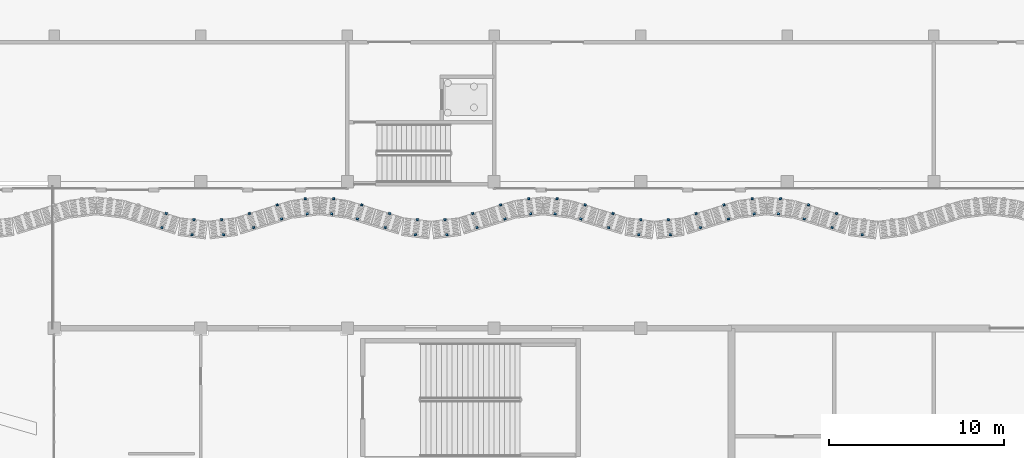
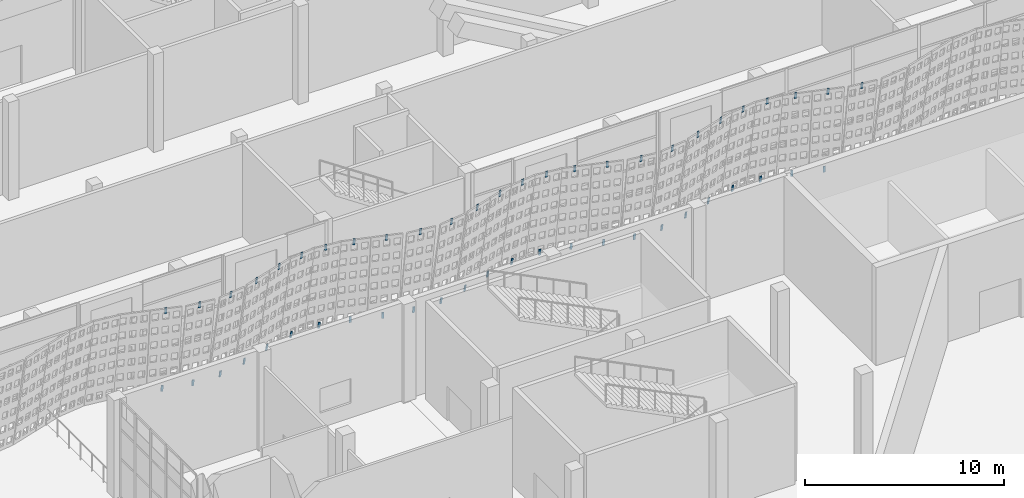
# One storey, part 143 of 210: 51 discrete accessories.
"""IFC4 building model written with IfcOpenShell, lengths in metres."""

import ifcopenshell
import ifcopenshell.guid

model = None  # the IFC model being written
_history = None  # IfcOwnerHistory: only IFC2X3 demands one
_inside = {}  # id of a spatial element -> (the spatial element, [elements in it])
_under = {}  # id of a project, library or spatial element -> (it, [spatial elements below it])
_declared = {}  # id of a project -> (the project, [libraries it declares])
_typed = {}  # id of a type object -> (the type object, [elements of that type])
_made_of = {}  # id of a material, layer set ... -> (it, [elements and type objects made of it])


def new_model(schema):
    """Start an empty IFC model of exactly this schema.

    Asked for "IFC4X3", IfcOpenShell would pick the latest addendum, in which some entities
    have other attributes; the version numbers below select the first issue.
    IFC2X3 requires an IfcOwnerHistory on every rooted entity: one is made here for all.
    """
    global model, _history
    if schema == "IFC4X3":
        model = ifcopenshell.file(schema_version=(4, 3, 0, 0))
    else:
        model = ifcopenshell.file(schema=schema)
    _inside.clear()
    _under.clear()
    _declared.clear()
    _typed.clear()
    _made_of.clear()
    _history = None
    if model.schema == "IFC2X3":
        org = make("IfcOrganization", Name="unknown")
        user = make(
            "IfcPersonAndOrganization",
            ThePerson=make("IfcPerson", FamilyName="unknown"),
            TheOrganization=org,
        )
        app = make(
            "IfcApplication",
            ApplicationDeveloper=org,
            Version="unknown",
            ApplicationFullName="unknown",
            ApplicationIdentifier="unknown",
        )
        _history = make(
            "IfcOwnerHistory",
            OwningUser=user,
            OwningApplication=app,
            ChangeAction="ADDED",
            CreationDate=0,
        )
    return model


def make(cls, **values):
    """One entity of the class cls with the attributes given. An attribute that is None is left unset."""
    return model.create_entity(
        cls, **{name: value for name, value in values.items() if value is not None}
    )


def rooted(cls, **values):
    """An entity with a GlobalId (a new one), such as an element, a storey or a relation."""
    return make(cls, GlobalId=ifcopenshell.guid.new(), OwnerHistory=_history, **values)


def si_unit(unit_type, name, prefix=None):
    """IfcSIUnit, for example si_unit("LENGTHUNIT", "METRE", prefix="MILLI")."""
    return make("IfcSIUnit", UnitType=unit_type, Prefix=prefix, Name=name)


def assignment(units):
    """IfcUnitAssignment: the units of a project."""
    return None if units is None else make("IfcUnitAssignment", Units=units)


def point(xyz):
    """IfcCartesianPoint."""
    return None if xyz is None else make("IfcCartesianPoint", Coordinates=xyz)


def direction(xyz):
    """IfcDirection."""
    return None if xyz is None else make("IfcDirection", DirectionRatios=xyz)


def frame(location, z_axis=None, x_axis=None):
    """IfcAxis2Placement3D, a coordinate frame: its origin and axes. An axis left out is left unset."""
    return make(
        "IfcAxis2Placement3D",
        Location=point(location),
        Axis=direction(z_axis),
        RefDirection=direction(x_axis),
    )


def frame_2d(location, x_axis=None):
    """IfcAxis2Placement2D, a coordinate frame in the plane: its origin and x axis."""
    return make(
        "IfcAxis2Placement2D", Location=point(location), RefDirection=direction(x_axis)
    )


def origin():
    """The frame at (0, 0, 0) with its axes left unset."""
    return frame((0.0, 0.0, 0.0))


def origin_2d():
    """The frame at (0, 0) in the plane with its x axis left unset."""
    return frame_2d((0.0, 0.0))


def place(relative_to, where):
    """IfcLocalPlacement: puts the frame where relative to a parent placement (None: the world)."""
    return make(
        "IfcLocalPlacement", PlacementRelTo=relative_to, RelativePlacement=where
    )


def context(
    kind, dimensions, precision=None, world=None, true_north=None, identifier=None
):
    """IfcGeometricRepresentationContext, for example the 3D "Model" context."""
    return make(
        "IfcGeometricRepresentationContext",
        ContextIdentifier=identifier,
        ContextType=kind,
        CoordinateSpaceDimension=dimensions,
        Precision=precision,
        WorldCoordinateSystem=world,
        TrueNorth=true_north,
    )


def subcontext(parent, identifier, kind, view, scale=None):
    """IfcGeometricRepresentationSubContext, for example "Body" below "Model"."""
    return make(
        "IfcGeometricRepresentationSubContext",
        ContextIdentifier=identifier,
        ContextType=kind,
        ParentContext=parent,
        TargetScale=scale,
        TargetView=view,
    )


def project(units=None, contexts=None):
    """IfcProject with its units and contexts."""
    return rooted(
        "IfcProject",
        Name="project",
        RepresentationContexts=contexts,
        UnitsInContext=assignment(units),
    )


def spatial(cls, under=None, at=None, **own):
    """A site, building, storey or space (cls), placed at a placement, below another one or the project."""
    s = rooted(cls, ObjectPlacement=at, **own)
    if under is not None:
        _under.setdefault(under.id(), (under, []))[1].append(s)
    return s


def profile(cls, at=None, kind="AREA", **sizes):
    """A parametric profile (cls). Its sizes go by their IFC names, for example OverallWidth=200.0."""
    return make(cls, ProfileType=kind, Position=at, **sizes)


def rectangle(**sizes):
    """IfcRectangleProfileDef."""
    return profile("IfcRectangleProfileDef", **sizes)


def extrude(swept, where, along, depth):
    """IfcExtrudedAreaSolid: the profile swept, set in the frame where, extruded along a direction by depth."""
    return make(
        "IfcExtrudedAreaSolid",
        SweptArea=swept,
        Position=where,
        ExtrudedDirection=direction(along),
        Depth=depth,
    )


def shape(context_of_items, identifier, shape_type, items):
    """IfcShapeRepresentation: the items that make up one representation, for example the "Body"."""
    return make(
        "IfcShapeRepresentation",
        ContextOfItems=context_of_items,
        RepresentationIdentifier=identifier,
        RepresentationType=shape_type,
        Items=items,
    )


def material(Name=None, Category=None):
    """IfcMaterial."""
    return make("IfcMaterial", Name=Name, Category=Category)


def material_profile(
    of_material, cross_section, Name=None, Category=None, Priority=None
):
    """IfcMaterialProfile: a cross section and its material."""
    return make(
        "IfcMaterialProfile",
        Name=Name,
        Material=of_material,
        Profile=cross_section,
        Priority=Priority,
        Category=Category,
    )


def profile_set(profiles, Name=None, composite=None):
    """IfcMaterialProfileSet."""
    return make(
        "IfcMaterialProfileSet",
        Name=Name,
        MaterialProfiles=profiles,
        CompositeProfile=composite,
    )


def made_of(thing, what):
    """Note that an element or type object is made of a material, layer set ...; save() writes the relation."""
    if what is not None:
        _made_of.setdefault(what.id(), (what, []))[1].append(thing)
    return thing


def type_object(cls, material=None, **own):
    """A type object (cls), such as IfcWallType, which elements share."""
    return made_of(rooted(cls, **own), material)


def element(
    cls,
    number,
    at=None,
    inside=None,
    cuts=None,
    type_object=None,
    material=None,
    context=None,
    identifier="Body",
    shape_type=None,
    held_by="IfcProductDefinitionShape",
    body=None,
    shapes=None,
    **own,
):
    """One element of the class cls, such as IfcWall. Its Tag is "e" and its number.

    at: its placement. inside: the storey or other place that contains it. cuts: it is an
    opening in that element (IfcRelVoidsElement). A single representation is given by context,
    identifier, shape_type and body (its items); several are given by shapes. held_by: the class
    of the entity that holds the representations. save() writes the other relations.
    """
    e = rooted(cls, Tag="e%d" % number, ObjectPlacement=at, **own)
    if body is not None:
        shapes = [shape(context, identifier, shape_type, body)]
    if shapes is not None:
        e.Representation = make(held_by, Representations=shapes)
    if inside is not None:
        _inside.setdefault(inside.id(), (inside, []))[1].append(e)
    if cuts is not None:
        rooted(
            "IfcRelVoidsElement", RelatingBuildingElement=cuts, RelatedOpeningElement=e
        )
    if type_object is not None:
        _typed.setdefault(type_object.id(), (type_object, []))[1].append(e)
    return made_of(e, material)


def aggregate(whole, parts):
    """IfcRelAggregates: a whole, such as a stair, and the parts it consists of."""
    return rooted("IfcRelAggregates", RelatingObject=whole, RelatedObjects=parts)


def save(model, path):
    """Write the relations noted so far, then the file.

    IfcRelAggregates (storeys below a building ...), IfcRelContainedInSpatialStructure (elements
    in a storey), IfcRelDefinesByType, IfcRelAssociatesMaterial and IfcRelDeclares: one each for
    every whole, place, type object, material and project.
    """
    for whole, parts in _under.values():
        aggregate(whole, parts)
    for where, things in _inside.values():
        rooted(
            "IfcRelContainedInSpatialStructure",
            RelatedElements=things,
            RelatingStructure=where,
        )
    for kind, things in _typed.values():
        rooted("IfcRelDefinesByType", RelatedObjects=things, RelatingType=kind)
    for what, things in _made_of.values():
        rooted("IfcRelAssociatesMaterial", RelatedObjects=things, RelatingMaterial=what)
    for by, libraries in _declared.values():
        rooted("IfcRelDeclares", RelatingContext=by, RelatedDefinitions=libraries)
    model.write(path)


model = new_model("IFC4")

# Units and contexts
model_context = context("Model", 3, precision=1e-05, world=origin(), true_north=direction((0.0, 1.0)))
body_context = subcontext(model_context, "Body", "Model", "MODEL_VIEW")
ifc_project = project(units=[si_unit("LENGTHUNIT", "METRE"), si_unit("AREAUNIT", "SQUARE_METRE"), si_unit("VOLUMEUNIT", "CUBIC_METRE"), si_unit("PLANEANGLEUNIT", "RADIAN"), si_unit("MASSUNIT", "GRAM", prefix="KILO")], contexts=[model_context])

# Site, building, storey
site_placement = place(None, origin())
site = spatial("IfcSite", under=ifc_project, at=site_placement, CompositionType="ELEMENT")
building_placement = place(site_placement, origin())
building = spatial("IfcBuilding", under=site, at=building_placement, Name="Rain Tree Exposition and Congress Centre", CompositionType="ELEMENT")
storey_placement = place(building_placement, origin())
storey = spatial("IfcBuildingStorey", under=building, at=storey_placement, Name="L00", CompositionType="ELEMENT", Elevation=0.0)

# Discrete accessories
ifc_material = material(Name="Steel S355J2", Category="steel")
ifc_material_profile = material_profile(ifc_material, rectangle(XDim=0.1201171875, YDim=0.050048828125, at=origin_2d()), Name="Flat bar 120x50")
ifc_profile_set = profile_set([ifc_material_profile], Name="Steel S355J2")
discrete_accessory_type = type_object("IfcDiscreteAccessoryType", Name="Screen bracket 120x50", PredefinedType="BRACKET", material=ifc_profile_set)
for number, where, z_axis, x_axis, name in (
    (1, (157.377685546875, 72.99609375, 5.35107421875), (-0.045783024094, -0.149557878708, 0.987692439791), (0.956199955507, -0.292714272094, 0.0), "concourse/bracket/L00/0991t"),
    (2, (157.627197265625, 73.802490234375, 0.00390625), (-0.045787195948, -0.148961010819, 0.987782440593), (0.955863671221, -0.293810554678, 0.0), "concourse/bracket/L00/0991b"),
):
    element("IfcDiscreteAccessory", number, at=place(storey_placement, frame(where, z_axis=z_axis, x_axis=x_axis)), inside=storey, type_object=discrete_accessory_type, Name=name, PredefinedType="BRACKET", context=body_context, shape_type="SweptSolid", body=[
        extrude(rectangle(XDim=0.1201171875, YDim=0.050048828125, at=origin_2d()), origin(), (0.0, 0.0, 1.0), 0.39990234375),
    ])
for number, where, z_axis, x_axis, name in (
    (3, (159.10009765625, 72.586181640625, 5.351318359375), (-0.020749404626, -0.160502747552, 0.986817272972), (0.991746960377, -0.128210633661, 0.0), "concourse/bracket/L00/1001t"),
    (4, (159.21142578125, 73.45556640625, 0.00390625), (-0.020139379294, -0.160504750127, 0.986829585384), (0.992219726556, -0.124499053142, 0.0), "concourse/bracket/L00/1001b"),
    (5, (160.89990234375, 72.586181640625, 5.351318359375), (0.020749404626, -0.160502747552, 0.986817272972), (0.991746960377, 0.128210633661, 0.0), "concourse/bracket/L00/1011t"),
    (6, (160.78857421875, 73.45556640625, 0.00390625), (0.020139379294, -0.160504750127, 0.986829585384), (0.992219726556, 0.124499053142, 0.0), "concourse/bracket/L00/1011b"),
):
    element("IfcDiscreteAccessory", number, at=place(storey_placement, frame(where, z_axis=z_axis, x_axis=x_axis)), inside=storey, type_object=discrete_accessory_type, Name=name, PredefinedType="BRACKET", context=body_context, shape_type="SweptSolid", body=[
        extrude(rectangle(XDim=0.1201171875, YDim=0.050048828125, at=origin_2d()), origin(), (0.0, 0.0, 1.0), 0.400146484375),
    ])
for number, where, z_axis, x_axis, name in (
    (7, (162.622314453125, 72.99609375, 5.35107421875), (0.045783024094, -0.149557878708, 0.987692439791), (0.956199955507, 0.292714272094, 0.0), "concourse/bracket/L00/1021t"),
    (8, (162.372802734375, 73.802490234375, 0.00390625), (0.045787195948, -0.148961010819, 0.987782440593), (0.955863671221, 0.293810554678, 0.0), "concourse/bracket/L00/1021b"),
    (9, (164.218994140625, 73.489990234375, 5.35107421875), (0.045787195948, -0.148961010819, 0.987782440593), (0.955863671221, 0.293810554678, 0.0), "concourse/bracket/L00/1031t"),
    (10, (163.969482421875, 74.29638671875, 0.00390625), (0.045787195948, -0.148961010819, 0.987782440593), (0.955863671221, 0.293810554678, 0.0), "concourse/bracket/L00/1031b"),
):
    element("IfcDiscreteAccessory", number, at=place(storey_placement, frame(where, z_axis=z_axis, x_axis=x_axis)), inside=storey, type_object=discrete_accessory_type, Name=name, PredefinedType="BRACKET", context=body_context, shape_type="SweptSolid", body=[
        extrude(rectangle(XDim=0.1201171875, YDim=0.050048828125, at=origin_2d()), origin(), (0.0, 0.0, 1.0), 0.39990234375),
    ])
for number, where, z_axis, x_axis, name in (
    (11, (165.6982421875, 73.781005859375, 5.351318359375), (0.020139379294, -0.160504750127, 0.986829585384), (0.992219726556, 0.124499053142, 0.0), "concourse/bracket/L00/1041t"),
    (12, (165.5869140625, 74.650390625, 0.00390625), (0.020139379294, -0.160504750127, 0.986829585384), (0.992219726556, 0.124499053142, 0.0), "concourse/bracket/L00/1041b"),
    (13, (167.101806640625, 73.781005859375, 5.351318359375), (-0.020749404626, -0.160502747552, 0.986817272972), (0.991746960377, -0.128210633661, 0.0), "concourse/bracket/L00/1051t"),
    (14, (167.213134765625, 74.650390625, 0.00390625), (-0.020139379294, -0.160504750127, 0.986829585384), (0.992219726556, -0.124499053142, 0.0), "concourse/bracket/L00/1051b"),
):
    element("IfcDiscreteAccessory", number, at=place(storey_placement, frame(where, z_axis=z_axis, x_axis=x_axis)), inside=storey, type_object=discrete_accessory_type, Name=name, PredefinedType="BRACKET", context=body_context, shape_type="SweptSolid", body=[
        extrude(rectangle(XDim=0.1201171875, YDim=0.050048828125, at=origin_2d()), origin(), (0.0, 0.0, 1.0), 0.400146484375),
    ])
for number, where, z_axis, x_axis, name in (
    (15, (168.5810546875, 73.489990234375, 5.35107421875), (-0.045787195948, -0.148961010819, 0.987782440593), (0.955863671221, -0.293810554678, 0.0), "concourse/bracket/L00/1061t"),
    (16, (168.83056640625, 74.29638671875, 0.00390625), (-0.045787195948, -0.148961010819, 0.987782440593), (0.955863671221, -0.293810554678, 0.0), "concourse/bracket/L00/1061b"),
    (17, (170.177734375, 72.99609375, 5.35107421875), (-0.045783024094, -0.149557878708, 0.987692439791), (0.956199955507, -0.292714272094, 0.0), "concourse/bracket/L00/1071t"),
    (18, (170.42724609375, 73.802490234375, 0.00390625), (-0.045787195948, -0.148961010819, 0.987782440593), (0.955863671221, -0.293810554678, 0.0), "concourse/bracket/L00/1071b"),
):
    element("IfcDiscreteAccessory", number, at=place(storey_placement, frame(where, z_axis=z_axis, x_axis=x_axis)), inside=storey, type_object=discrete_accessory_type, Name=name, PredefinedType="BRACKET", context=body_context, shape_type="SweptSolid", body=[
        extrude(rectangle(XDim=0.1201171875, YDim=0.050048828125, at=origin_2d()), origin(), (0.0, 0.0, 1.0), 0.39990234375),
    ])
for number, where, z_axis, x_axis, name in (
    (19, (171.900146484375, 72.586181640625, 5.351318359375), (-0.020749404626, -0.160502747552, 0.986817272972), (0.991746960377, -0.128210633661, 0.0), "concourse/bracket/L00/1081t"),
    (20, (172.011474609375, 73.45556640625, 0.00390625), (-0.020139379294, -0.160504750127, 0.986829585384), (0.992219726556, -0.124499053142, 0.0), "concourse/bracket/L00/1081b"),
    (21, (173.699951171875, 72.586181640625, 5.351318359375), (0.020139379294, -0.160504750127, 0.986829585384), (0.992219726556, 0.124499053142, 0.0), "concourse/bracket/L00/1091t"),
    (22, (173.58837890625, 73.45556640625, 0.00390625), (0.020749404626, -0.160502747552, 0.986817272972), (0.991746960377, 0.128210633661, 0.0), "concourse/bracket/L00/1091b"),
):
    element("IfcDiscreteAccessory", number, at=place(storey_placement, frame(where, z_axis=z_axis, x_axis=x_axis)), inside=storey, type_object=discrete_accessory_type, Name=name, PredefinedType="BRACKET", context=body_context, shape_type="SweptSolid", body=[
        extrude(rectangle(XDim=0.1201171875, YDim=0.050048828125, at=origin_2d()), origin(), (0.0, 0.0, 1.0), 0.400146484375),
    ])
for number, where, z_axis, x_axis, name in (
    (23, (175.422119140625, 72.99609375, 5.35107421875), (0.046392159231, -0.149553671205, 0.987664653104), (0.955102182504, 0.296276595389, 0.0), "concourse/bracket/L00/1101t"),
    (24, (175.172607421875, 73.802490234375, 0.00390625), (0.046396386353, -0.148956819344, 0.987754646309), (0.954758063246, 0.297383659044, 0.0), "concourse/bracket/L00/1101b"),
    (25, (177.018798828125, 73.489990234375, 5.35107421875), (0.046396386353, -0.148956819344, 0.987754646309), (0.954758063246, 0.297383659044, 0.0), "concourse/bracket/L00/1111t"),
    (26, (176.769287109375, 74.29638671875, 0.00390625), (0.046396386353, -0.148956819344, 0.987754646309), (0.954758063246, 0.297383659044, 0.0), "concourse/bracket/L00/1111b"),
):
    element("IfcDiscreteAccessory", number, at=place(storey_placement, frame(where, z_axis=z_axis, x_axis=x_axis)), inside=storey, type_object=discrete_accessory_type, Name=name, PredefinedType="BRACKET", context=body_context, shape_type="SweptSolid", body=[
        extrude(rectangle(XDim=0.1201171875, YDim=0.050048828125, at=origin_2d()), origin(), (0.0, 0.0, 1.0), 0.39990234375),
    ])
for number, where, z_axis, x_axis, name in (
    (27, (178.498291015625, 73.781005859375, 5.351318359375), (0.020139379294, -0.160504750127, 0.986829585384), (0.992219726556, 0.124499053142, 0.0), "concourse/bracket/L00/1121t"),
    (28, (178.38671875, 74.650390625, 0.00390625), (0.020749404626, -0.160502747552, 0.986817272972), (0.991746960377, 0.128210633661, 0.0), "concourse/bracket/L00/1121b"),
    (29, (179.90185546875, 73.781005859375, 5.351318359375), (-0.020749404626, -0.160502747552, 0.986817272972), (0.991746960377, -0.128210633661, 0.0), "concourse/bracket/L00/1131t"),
    (30, (180.01318359375, 74.650390625, 0.00390625), (-0.020749404626, -0.160502747552, 0.986817272972), (0.991746960377, -0.128210633661, 0.0), "concourse/bracket/L00/1131b"),
):
    element("IfcDiscreteAccessory", number, at=place(storey_placement, frame(where, z_axis=z_axis, x_axis=x_axis)), inside=storey, type_object=discrete_accessory_type, Name=name, PredefinedType="BRACKET", context=body_context, shape_type="SweptSolid", body=[
        extrude(rectangle(XDim=0.1201171875, YDim=0.050048828125, at=origin_2d()), origin(), (0.0, 0.0, 1.0), 0.400146484375),
    ])
for number, where, z_axis, x_axis, name in (
    (31, (181.381103515625, 73.489990234375, 5.35107421875), (-0.045787195948, -0.148961010819, 0.987782440593), (0.955863671221, -0.293810554678, 0.0), "concourse/bracket/L00/1141t"),
    (32, (181.630615234375, 74.29638671875, 0.00390625), (-0.045787195948, -0.148961010819, 0.987782440593), (0.955863671221, -0.293810554678, 0.0), "concourse/bracket/L00/1141b"),
    (33, (182.977783203125, 72.99609375, 5.35107421875), (-0.045783024094, -0.149557878708, 0.987692439791), (0.956199955507, -0.292714272094, 0.0), "concourse/bracket/L00/1151t"),
    (34, (183.227294921875, 73.802490234375, 0.00390625), (-0.045787195948, -0.148961010819, 0.987782440593), (0.955863671221, -0.293810554678, 0.0), "concourse/bracket/L00/1151b"),
):
    element("IfcDiscreteAccessory", number, at=place(storey_placement, frame(where, z_axis=z_axis, x_axis=x_axis)), inside=storey, type_object=discrete_accessory_type, Name=name, PredefinedType="BRACKET", context=body_context, shape_type="SweptSolid", body=[
        extrude(rectangle(XDim=0.1201171875, YDim=0.050048828125, at=origin_2d()), origin(), (0.0, 0.0, 1.0), 0.39990234375),
    ])
for number, where, z_axis, x_axis, name in (
    (35, (184.7001953125, 72.586181640625, 5.351318359375), (-0.020749404626, -0.160502747552, 0.986817272972), (0.991746960377, -0.128210633661, 0.0), "concourse/bracket/L00/1161t"),
    (36, (184.8115234375, 73.45556640625, 0.00390625), (-0.020749404626, -0.160502747552, 0.986817272972), (0.991746960377, -0.128210633661, 0.0), "concourse/bracket/L00/1161b"),
    (37, (186.5, 72.586181640625, 5.351318359375), (0.020139379294, -0.160504750127, 0.986829585384), (0.992219726556, 0.124499053142, 0.0), "concourse/bracket/L00/1171t"),
    (38, (186.388427734375, 73.45556640625, 0.00390625), (0.020749404626, -0.160502747552, 0.986817272972), (0.991746960377, 0.128210633661, 0.0), "concourse/bracket/L00/1171b"),
):
    element("IfcDiscreteAccessory", number, at=place(storey_placement, frame(where, z_axis=z_axis, x_axis=x_axis)), inside=storey, type_object=discrete_accessory_type, Name=name, PredefinedType="BRACKET", context=body_context, shape_type="SweptSolid", body=[
        extrude(rectangle(XDim=0.1201171875, YDim=0.050048828125, at=origin_2d()), origin(), (0.0, 0.0, 1.0), 0.400146484375),
    ])
for number, where, z_axis, x_axis, name in (
    (39, (188.22216796875, 72.99609375, 5.35107421875), (0.045783024094, -0.149557878708, 0.987692439791), (0.956199955507, 0.292714272094, 0.0), "concourse/bracket/L00/1181t"),
    (40, (187.97265625, 73.802490234375, 0.00390625), (0.046396386353, -0.148956819344, 0.987754646309), (0.954758063246, 0.297383659044, 0.0), "concourse/bracket/L00/1181b"),
    (41, (189.81884765625, 73.489990234375, 5.35107421875), (0.046396386353, -0.148956819344, 0.987754646309), (0.954758063246, 0.297383659044, 0.0), "concourse/bracket/L00/1191t"),
    (42, (189.5693359375, 74.29638671875, 0.00390625), (0.046396386353, -0.148956819344, 0.987754646309), (0.954758063246, 0.297383659044, 0.0), "concourse/bracket/L00/1191b"),
):
    element("IfcDiscreteAccessory", number, at=place(storey_placement, frame(where, z_axis=z_axis, x_axis=x_axis)), inside=storey, type_object=discrete_accessory_type, Name=name, PredefinedType="BRACKET", context=body_context, shape_type="SweptSolid", body=[
        extrude(rectangle(XDim=0.1201171875, YDim=0.050048828125, at=origin_2d()), origin(), (0.0, 0.0, 1.0), 0.39990234375),
    ])
for number, where, z_axis, x_axis, name in (
    (43, (191.298095703125, 73.781005859375, 5.351318359375), (0.020749404626, -0.160502747552, 0.986817272972), (0.991746960377, 0.128210633661, 0.0), "concourse/bracket/L00/1201t"),
    (44, (191.186767578125, 74.650390625, 0.00390625), (0.020749404626, -0.160502747552, 0.986817272972), (0.991746960377, 0.128210633661, 0.0), "concourse/bracket/L00/1201b"),
    (45, (192.701904296875, 73.781005859375, 5.351318359375), (-0.020749404626, -0.160502747552, 0.986817272972), (0.991746960377, -0.128210633661, 0.0), "concourse/bracket/L00/1211t"),
    (46, (192.813232421875, 74.650390625, 0.00390625), (-0.020749404626, -0.160502747552, 0.986817272972), (0.991746960377, -0.128210633661, 0.0), "concourse/bracket/L00/1211b"),
):
    element("IfcDiscreteAccessory", number, at=place(storey_placement, frame(where, z_axis=z_axis, x_axis=x_axis)), inside=storey, type_object=discrete_accessory_type, Name=name, PredefinedType="BRACKET", context=body_context, shape_type="SweptSolid", body=[
        extrude(rectangle(XDim=0.1201171875, YDim=0.050048828125, at=origin_2d()), origin(), (0.0, 0.0, 1.0), 0.400146484375),
    ])
for number, where, z_axis, x_axis, name in (
    (47, (194.18115234375, 73.489990234375, 5.35107421875), (-0.046396386353, -0.148956819344, 0.987754646309), (0.954758063246, -0.297383659044, 0.0), "concourse/bracket/L00/1221t"),
    (48, (194.4306640625, 74.29638671875, 0.00390625), (-0.046396386353, -0.148956819344, 0.987754646309), (0.954758063246, -0.297383659044, 0.0), "concourse/bracket/L00/1221b"),
    (49, (195.77783203125, 72.99609375, 5.35107421875), (-0.045783024094, -0.149557878708, 0.987692439791), (0.956199955507, -0.292714272094, 0.0), "concourse/bracket/L00/1231t"),
    (50, (196.02734375, 73.802490234375, 0.00390625), (-0.046396386353, -0.148956819344, 0.987754646309), (0.954758063246, -0.297383659044, 0.0), "concourse/bracket/L00/1231b"),
):
    element("IfcDiscreteAccessory", number, at=place(storey_placement, frame(where, z_axis=z_axis, x_axis=x_axis)), inside=storey, type_object=discrete_accessory_type, Name=name, PredefinedType="BRACKET", context=body_context, shape_type="SweptSolid", body=[
        extrude(rectangle(XDim=0.1201171875, YDim=0.050048828125, at=origin_2d()), origin(), (0.0, 0.0, 1.0), 0.39990234375),
    ])
discrete_accessory_placement = place(storey_placement, frame((197.5, 72.586181640625, 5.351318359375), z_axis=(-0.020139379294, -0.160504750127, 0.986829585384), x_axis=(0.992219726556, -0.124499053142, 0.0)))
element("IfcDiscreteAccessory", 51, at=discrete_accessory_placement, inside=storey, type_object=discrete_accessory_type, Name="concourse/bracket/L00/1241t", PredefinedType="BRACKET", context=body_context, shape_type="SweptSolid", body=[
    extrude(rectangle(XDim=0.1201171875, YDim=0.050048828125, at=origin_2d()), origin(), (0.0, 0.0, 1.0), 0.400146484375),
])

save(model, "model.ifc")
